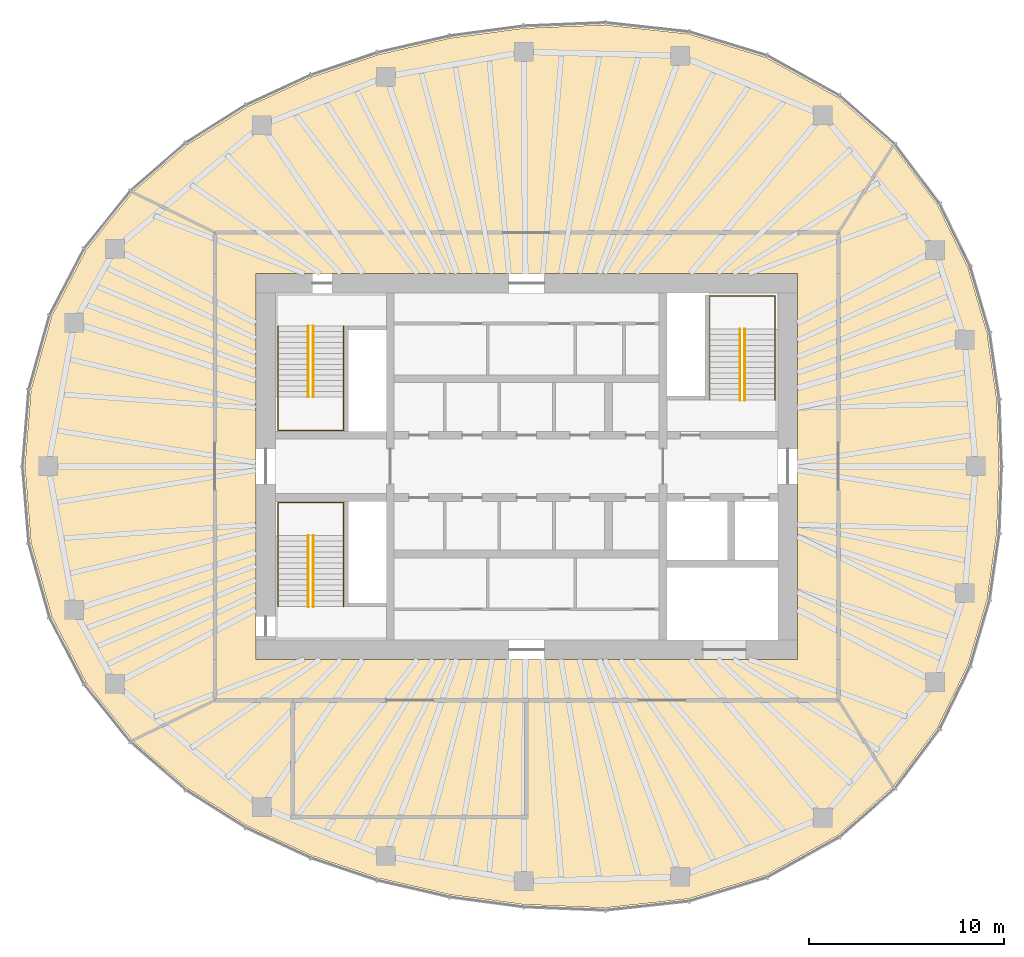
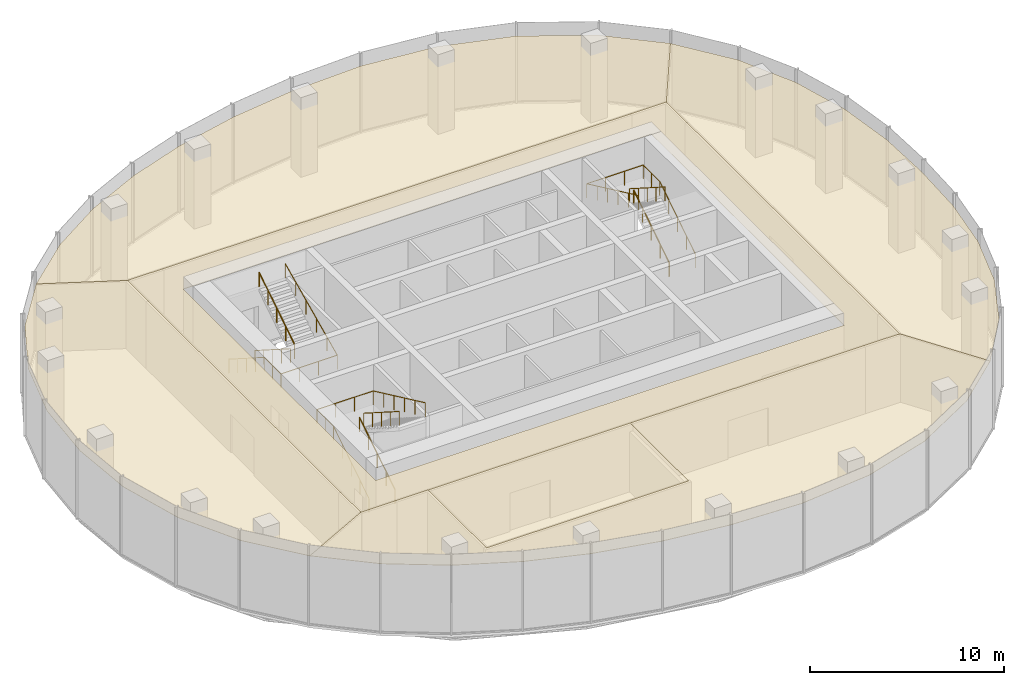
# One storey, part 11 of 11: 9 railings, 6 coverings.
"""IFC4 building model written with IfcOpenShell, lengths in metres."""

from ifc_helpers import new_model, si_unit, direction, frame, origin, origin_2d, place, context, subcontext, project, spatial, polyline, circle, outline, extrude, material, layer, layer_set, type_object, element, save


model = new_model("IFC4")

# Units and contexts
model_context = context("Model", 3, precision=1e-05, world=origin(), true_north=direction((0.0, 1.0)))
body_context = subcontext(model_context, "Body", "Model", "MODEL_VIEW")
ifc_project = project(units=[si_unit("LENGTHUNIT", "METRE"), si_unit("AREAUNIT", "SQUARE_METRE"), si_unit("VOLUMEUNIT", "CUBIC_METRE"), si_unit("PLANEANGLEUNIT", "RADIAN"), si_unit("MASSUNIT", "GRAM", prefix="KILO")], contexts=[model_context])

# Site, building, storey
site_placement = place(None, origin())
site = spatial("IfcSite", under=ifc_project, at=site_placement, CompositionType="ELEMENT")
building_placement = place(site_placement, origin())
building = spatial("IfcBuilding", under=site, at=building_placement, Name="Ghaith Harvest Tower", CompositionType="ELEMENT")
storey_placement = place(building_placement, frame((0.0, 0.0, 339.199951171875)))
storey = spatial("IfcBuildingStorey", under=building, at=storey_placement, Name="L76", CompositionType="ELEMENT", Elevation=339.199951171875)

# Coverings
ifc_material_1 = material(Name="Mineral fibre ceiling tile", Category="gypsum")
ifc_layer = layer(ifc_material_1, 0.02490234375)
ifc_layer_set = layer_set([ifc_layer], Name="CEILING C2")
covering_type = type_object("IfcCoveringType", Name="CEILING C2", PredefinedType="CEILING", material=ifc_layer_set)
covering_1_placement = place(storey_placement, frame((0.0, 0.0, 4.199951171875)))
element("IfcCovering", 1, at=covering_1_placement, inside=storey, type_object=covering_type, Name="Ceiling L76-01", PredefinedType="CEILING", context=body_context, shape_type="SweptSolid", body=[
    extrude(outline(polyline([(-12.0, -18.0), (0.0, -18.0), (0.0, -12.0), (-12.0, -12.0), (-12.0, -18.0)])), origin(), (0.0, 0.0, 1.0), 0.025146484375),
])
covering_2_placement = place(storey_placement, frame((0.0, 0.0, 4.199951171875)))
element("IfcCovering", 2, at=covering_2_placement, inside=storey, type_object=covering_type, Name="Ceiling L76-C1", PredefinedType="CEILING", context=body_context, shape_type="SweptSolid", body=[
    extrude(outline(polyline([(16.0, -12.0), (-16.0, -12.0), (-16.0, 12.0), (16.0, 12.0), (16.0, -12.0)]), holes=[polyline([(-13.89990234375, 9.89990234375), (-13.89990234375, -9.89990234375), (13.89990234375, -9.89990234375), (13.89990234375, 9.89990234375), (-13.89990234375, 9.89990234375)])]), origin(), (0.0, 0.0, 1.0), 0.025146484375),
])
covering_3_placement = place(storey_placement, frame((0.0, 0.0, 4.199951171875)))
element("IfcCovering", 3, at=covering_3_placement, inside=storey, type_object=covering_type, Name="Ceiling L76-N1", PredefinedType="CEILING", context=body_context, shape_type="SweptSolid", body=[
    extrude(outline(polyline([(-17.40771484375, 16.518310546875), (-14.331298828125, 18.452880859375), (-11.009521484375, 19.98779296875), (-7.6298828125, 21.12548828125), (-3.92529296875, 21.98046875), (-0.15380859375, 22.486083984375), (4.016845703125, 22.658447265625), (8.2978515625, 22.1962890625), (12.273681640625, 20.98828125), (15.971923828125, 18.940185546875), (18.810791015625, 16.4482421875), (16.0, 12.0), (-16.0, 12.0), (-20.225830078125, 14.0732421875), (-17.40771484375, 16.518310546875)])), origin(), (0.0, 0.0, 1.0), 0.025146484375),
])
covering_4_placement = place(storey_placement, frame((0.0, 0.0, 4.199951171875)))
element("IfcCovering", 4, at=covering_4_placement, inside=storey, type_object=covering_type, Name="Ceiling L76-E1", PredefinedType="CEILING", context=body_context, shape_type="SweptSolid", body=[
    extrude(outline(polyline([(21.087890625, -13.42041015625), (18.810791015625, -16.4482421875), (16.0, -12.0), (16.0, 12.0), (18.810791015625, 16.4482421875), (21.087890625, 13.42041015625), (22.644775390625, 10.222900390625), (23.6376953125, 6.831787109375), (24.129150390625, 3.4169921875), (24.25, 0.0), (24.129150390625, -3.4169921875), (23.6376953125, -6.831787109375), (22.644775390625, -10.222900390625), (21.087890625, -13.42041015625)])), origin(), (0.0, 0.0, 1.0), 0.025146484375),
])
covering_5_placement = place(storey_placement, frame((0.0, 0.0, 4.199951171875)))
element("IfcCovering", 5, at=covering_5_placement, inside=storey, type_object=covering_type, Name="Ceiling L76-S1", PredefinedType="CEILING", context=body_context, shape_type="SweptSolid", body=[
    extrude(outline(polyline([(15.971923828125, -18.940185546875), (12.273681640625, -20.98828125), (8.2978515625, -22.1962890625), (4.016845703125, -22.658447265625), (-0.15380859375, -22.486083984375), (-3.92529296875, -21.98046875), (-7.6298828125, -21.12548828125), (-11.009521484375, -19.98779296875), (-14.331298828125, -18.452880859375), (-17.40771484375, -16.518310546875), (-20.225830078125, -14.0732421875), (-16.0, -12.0), (-12.0, -12.0), (-12.0, -18.0), (0.0, -18.0), (0.0, -12.0), (16.0, -12.0), (18.810791015625, -16.4482421875), (15.971923828125, -18.940185546875)])), origin(), (0.0, 0.0, 1.0), 0.025146484375),
])
covering_6_placement = place(storey_placement, frame((0.0, 0.0, 4.199951171875)))
element("IfcCovering", 6, at=covering_6_placement, inside=storey, type_object=covering_type, Name="Ceiling L76-W1", PredefinedType="CEILING", context=body_context, shape_type="SweptSolid", body=[
    extrude(outline(polyline([(-22.5986328125, -11.12353515625), (-24.368408203125, -7.722900390625), (-25.43310546875, -3.93359375), (-25.75, 0.0), (-25.43310546875, 3.93359375), (-24.368408203125, 7.722900390625), (-22.5986328125, 11.12353515625), (-20.225830078125, 14.0732421875), (-16.0, 12.0), (-16.0, -12.0), (-20.225830078125, -14.0732421875), (-22.5986328125, -11.12353515625)])), origin(), (0.0, 0.0, 1.0), 0.025146484375),
])

# Railings
ifc_material_2 = material(Name="Steel, black powder-coated", Category="steel")
railing_type = type_object("IfcRailingType", Name="HANDRAIL HR1", PredefinedType="HANDRAIL", material=ifc_material_2)
railing_1_placement = place(storey_placement, frame((-11.199951171875, 7.199951171875, 0.1787109375)))
element("IfcRailing", 7, at=railing_1_placement, inside=storey, type_object=railing_type, Name="Handrail HR1 stair ST1 L76 flight 1 inner", PredefinedType="HANDRAIL", context=body_context, shape_type="SweptSolid", body=[
    extrude(circle(Radius=0.02392578125, at=origin_2d()), frame((0.0, 0.0, 0.8759765625), z_axis=(0.0, -0.843137146238, 0.537698570422), x_axis=(1.0, 0.0, 0.0)), (0.0, 0.0, 1.0), 4.317138671875),
    extrude(circle(Radius=0.02099609375, at=origin_2d()), origin(), (0.0, 0.0, 1.0), 0.851806640625),
    extrude(circle(Radius=0.02099609375, at=origin_2d()), frame((0.0, -0.909912109375, 0.580322265625)), (0.0, 0.0, 1.0), 0.851806640625),
    extrude(circle(Radius=0.02099609375, at=origin_2d()), frame((0.0, -1.81982421875, 1.16064453125)), (0.0, 0.0, 1.0), 0.851806640625),
    extrude(circle(Radius=0.02099609375, at=origin_2d()), frame((0.0, -2.72998046875, 1.740966796875)), (0.0, 0.0, 1.0), 0.851806640625),
    extrude(circle(Radius=0.02099609375, at=origin_2d()), frame((0.0, -3.639892578125, 2.3212890625)), (0.0, 0.0, 1.0), 0.851806640625),
])
railing_2_placement = place(storey_placement, frame((-10.949951171875, 3.56005859375, 2.6787109375)))
element("IfcRailing", 8, at=railing_2_placement, inside=storey, type_object=railing_type, Name="Handrail HR1 stair ST1 L76 flight 2 inner", PredefinedType="HANDRAIL", context=body_context, shape_type="SweptSolid", body=[
    extrude(circle(Radius=0.02392578125, at=origin_2d()), frame((0.0, 0.0, 0.8759765625), z_axis=(0.0, 0.843137146238, 0.537698570422), x_axis=(-1.0, 0.0, 0.0)), (0.0, 0.0, 1.0), 4.317138671875),
    extrude(circle(Radius=0.02099609375, at=origin_2d()), origin(), (0.0, 0.0, 1.0), 0.851806640625),
    extrude(circle(Radius=0.02099609375, at=origin_2d()), frame((0.0, 0.909912109375, 0.580322265625)), (0.0, 0.0, 1.0), 0.851806640625),
    extrude(circle(Radius=0.02099609375, at=origin_2d()), frame((0.0, 1.81982421875, 1.16064453125)), (0.0, 0.0, 1.0), 0.851806640625),
    extrude(circle(Radius=0.02099609375, at=origin_2d()), frame((0.0, 2.72998046875, 1.740966796875)), (0.0, 0.0, 1.0), 0.851806640625),
    extrude(circle(Radius=0.02099609375, at=origin_2d()), frame((0.0, 3.639892578125, 2.3212890625)), (0.0, 0.0, 1.0), 0.851806640625),
])
railing_3_placement = place(storey_placement, frame((-12.75, 7.199951171875, 0.1787109375)))
element("IfcRailing", 9, at=railing_3_placement, inside=storey, type_object=railing_type, Name="Handrail HR1 stair ST1 L76 wall side", PredefinedType="HANDRAIL", context=body_context, shape_type="SweptSolid", body=[
    extrude(circle(Radius=0.02392578125, at=origin_2d()), frame((0.0, 0.0, 0.8759765625), z_axis=(0.0, -0.843137146238, 0.537698570422), x_axis=(1.0, 0.0, 0.0)), (0.0, 0.0, 1.0), 4.317138671875),
    extrude(circle(Radius=0.02392578125, at=origin_2d()), frame((0.0, -3.639892578125, 3.197265625), z_axis=(0.0, -1.0, 0.0), x_axis=(1.0, 0.0, 0.0)), (0.0, 0.0, 1.0), 1.7099609375),
    extrude(circle(Radius=0.02392578125, at=origin_2d()), frame((0.0, -5.349853515625, 3.197265625), z_axis=(1.0, 0.0, 0.0), x_axis=(0.0, 1.0, 0.0)), (0.0, 0.0, 1.0), 3.35009765625),
    extrude(circle(Radius=0.02392578125, at=origin_2d()), frame((3.35009765625, -5.349853515625, 3.197265625), z_axis=(0.0, 0.905962265858, 0.423358444868), x_axis=(-1.0, 0.0, 0.0)), (0.0, 0.0, 1.0), 5.9052734375),
    extrude(circle(Radius=0.02099609375, at=origin_2d()), origin(), (0.0, 0.0, 1.0), 0.851806640625),
    extrude(circle(Radius=0.02099609375, at=origin_2d()), frame((0.0, -0.909912109375, 0.580322265625)), (0.0, 0.0, 1.0), 0.851806640625),
    extrude(circle(Radius=0.02099609375, at=origin_2d()), frame((0.0, -1.81982421875, 1.16064453125)), (0.0, 0.0, 1.0), 0.851806640625),
    extrude(circle(Radius=0.02099609375, at=origin_2d()), frame((0.0, -2.72998046875, 1.740966796875)), (0.0, 0.0, 1.0), 0.851806640625),
    extrude(circle(Radius=0.02099609375, at=origin_2d()), frame((0.0, -3.639892578125, 2.3212890625)), (0.0, 0.0, 1.0), 0.851806640625),
    extrude(circle(Radius=0.02099609375, at=origin_2d()), frame((0.0, -4.494873046875, 2.3212890625)), (0.0, 0.0, 1.0), 0.851806640625),
    extrude(circle(Radius=0.02099609375, at=origin_2d()), frame((0.0, -5.349853515625, 2.3212890625)), (0.0, 0.0, 1.0), 0.851806640625),
    extrude(circle(Radius=0.02099609375, at=origin_2d()), frame((1.11669921875, -5.349853515625, 2.3212890625)), (0.0, 0.0, 1.0), 0.851806640625),
    extrude(circle(Radius=0.02099609375, at=origin_2d()), frame((2.2333984375, -5.349853515625, 2.3212890625)), (0.0, 0.0, 1.0), 0.851806640625),
    extrude(circle(Radius=0.02099609375, at=origin_2d()), frame((3.35009765625, -5.349853515625, 2.3212890625)), (0.0, 0.0, 1.0), 0.851806640625),
    extrude(circle(Radius=0.02099609375, at=origin_2d()), frame((3.35009765625, -4.27978515625, 2.8212890625)), (0.0, 0.0, 1.0), 0.851806640625),
    extrude(circle(Radius=0.02099609375, at=origin_2d()), frame((3.35009765625, -3.2099609375, 3.3212890625)), (0.0, 0.0, 1.0), 0.851806640625),
    extrude(circle(Radius=0.02099609375, at=origin_2d()), frame((3.35009765625, -2.139892578125, 3.8212890625)), (0.0, 0.0, 1.0), 0.851806640625),
    extrude(circle(Radius=0.02099609375, at=origin_2d()), frame((3.35009765625, -1.070068359375, 4.3212890625)), (0.0, 0.0, 1.0), 0.851806640625),
    extrude(circle(Radius=0.02099609375, at=origin_2d()), frame((3.35009765625, 0.0, 4.8212890625)), (0.0, 0.0, 1.0), 0.851806640625),
])
railing_4_placement = place(storey_placement, frame((-11.199951171875, -7.199951171875, 0.1787109375)))
element("IfcRailing", 10, at=railing_4_placement, inside=storey, type_object=railing_type, Name="Handrail HR1 stair ST3 L76 flight 1 inner", PredefinedType="HANDRAIL", context=body_context, shape_type="SweptSolid", body=[
    extrude(circle(Radius=0.02392578125, at=origin_2d()), frame((0.0, 0.0, 0.8759765625), z_axis=(0.0, 0.843137146238, 0.537698570422), x_axis=(-1.0, 0.0, 0.0)), (0.0, 0.0, 1.0), 4.317138671875),
    extrude(circle(Radius=0.02099609375, at=origin_2d()), origin(), (0.0, 0.0, 1.0), 0.851806640625),
    extrude(circle(Radius=0.02099609375, at=origin_2d()), frame((0.0, 0.909912109375, 0.580322265625)), (0.0, 0.0, 1.0), 0.851806640625),
    extrude(circle(Radius=0.02099609375, at=origin_2d()), frame((0.0, 1.81982421875, 1.16064453125)), (0.0, 0.0, 1.0), 0.851806640625),
    extrude(circle(Radius=0.02099609375, at=origin_2d()), frame((0.0, 2.72998046875, 1.740966796875)), (0.0, 0.0, 1.0), 0.851806640625),
    extrude(circle(Radius=0.02099609375, at=origin_2d()), frame((0.0, 3.639892578125, 2.3212890625)), (0.0, 0.0, 1.0), 0.851806640625),
])
railing_5_placement = place(storey_placement, frame((-10.949951171875, -3.56005859375, 2.6787109375)))
element("IfcRailing", 11, at=railing_5_placement, inside=storey, type_object=railing_type, Name="Handrail HR1 stair ST3 L76 flight 2 inner", PredefinedType="HANDRAIL", context=body_context, shape_type="SweptSolid", body=[
    extrude(circle(Radius=0.02392578125, at=origin_2d()), frame((0.0, 0.0, 0.8759765625), z_axis=(0.0, -0.843137146238, 0.537698570422), x_axis=(1.0, 0.0, 0.0)), (0.0, 0.0, 1.0), 4.317138671875),
    extrude(circle(Radius=0.02099609375, at=origin_2d()), origin(), (0.0, 0.0, 1.0), 0.851806640625),
    extrude(circle(Radius=0.02099609375, at=origin_2d()), frame((0.0, -0.909912109375, 0.580322265625)), (0.0, 0.0, 1.0), 0.851806640625),
    extrude(circle(Radius=0.02099609375, at=origin_2d()), frame((0.0, -1.81982421875, 1.16064453125)), (0.0, 0.0, 1.0), 0.851806640625),
    extrude(circle(Radius=0.02099609375, at=origin_2d()), frame((0.0, -2.72998046875, 1.740966796875)), (0.0, 0.0, 1.0), 0.851806640625),
    extrude(circle(Radius=0.02099609375, at=origin_2d()), frame((0.0, -3.639892578125, 2.3212890625)), (0.0, 0.0, 1.0), 0.851806640625),
])
railing_6_placement = place(storey_placement, frame((-12.75, -7.199951171875, 0.1787109375)))
element("IfcRailing", 12, at=railing_6_placement, inside=storey, type_object=railing_type, Name="Handrail HR1 stair ST3 L76 wall side", PredefinedType="HANDRAIL", context=body_context, shape_type="SweptSolid", body=[
    extrude(circle(Radius=0.02392578125, at=origin_2d()), frame((0.0, 0.0, 0.8759765625), z_axis=(0.0, 0.843137146238, 0.537698570422), x_axis=(-1.0, 0.0, 0.0)), (0.0, 0.0, 1.0), 4.317138671875),
    extrude(circle(Radius=0.02392578125, at=origin_2d()), frame((0.0, 3.639892578125, 3.197265625), z_axis=(0.0, 1.0, 0.0), x_axis=(-1.0, 0.0, 0.0)), (0.0, 0.0, 1.0), 1.7099609375),
    extrude(circle(Radius=0.02392578125, at=origin_2d()), frame((0.0, 5.349853515625, 3.197265625), z_axis=(1.0, 0.0, 0.0), x_axis=(0.0, 1.0, 0.0)), (0.0, 0.0, 1.0), 3.35009765625),
    extrude(circle(Radius=0.02392578125, at=origin_2d()), frame((3.35009765625, 5.349853515625, 3.197265625), z_axis=(0.0, -0.905962265858, 0.423358444868), x_axis=(1.0, 0.0, 0.0)), (0.0, 0.0, 1.0), 5.9052734375),
    extrude(circle(Radius=0.02099609375, at=origin_2d()), origin(), (0.0, 0.0, 1.0), 0.851806640625),
    extrude(circle(Radius=0.02099609375, at=origin_2d()), frame((0.0, 0.909912109375, 0.580322265625)), (0.0, 0.0, 1.0), 0.851806640625),
    extrude(circle(Radius=0.02099609375, at=origin_2d()), frame((0.0, 1.81982421875, 1.16064453125)), (0.0, 0.0, 1.0), 0.851806640625),
    extrude(circle(Radius=0.02099609375, at=origin_2d()), frame((0.0, 2.72998046875, 1.740966796875)), (0.0, 0.0, 1.0), 0.851806640625),
    extrude(circle(Radius=0.02099609375, at=origin_2d()), frame((0.0, 3.639892578125, 2.3212890625)), (0.0, 0.0, 1.0), 0.851806640625),
    extrude(circle(Radius=0.02099609375, at=origin_2d()), frame((0.0, 4.494873046875, 2.3212890625)), (0.0, 0.0, 1.0), 0.851806640625),
    extrude(circle(Radius=0.02099609375, at=origin_2d()), frame((0.0, 5.349853515625, 2.3212890625)), (0.0, 0.0, 1.0), 0.851806640625),
    extrude(circle(Radius=0.02099609375, at=origin_2d()), frame((1.11669921875, 5.349853515625, 2.3212890625)), (0.0, 0.0, 1.0), 0.851806640625),
    extrude(circle(Radius=0.02099609375, at=origin_2d()), frame((2.2333984375, 5.349853515625, 2.3212890625)), (0.0, 0.0, 1.0), 0.851806640625),
    extrude(circle(Radius=0.02099609375, at=origin_2d()), frame((3.35009765625, 5.349853515625, 2.3212890625)), (0.0, 0.0, 1.0), 0.851806640625),
    extrude(circle(Radius=0.02099609375, at=origin_2d()), frame((3.35009765625, 4.27978515625, 2.8212890625)), (0.0, 0.0, 1.0), 0.851806640625),
    extrude(circle(Radius=0.02099609375, at=origin_2d()), frame((3.35009765625, 3.2099609375, 3.3212890625)), (0.0, 0.0, 1.0), 0.851806640625),
    extrude(circle(Radius=0.02099609375, at=origin_2d()), frame((3.35009765625, 2.139892578125, 3.8212890625)), (0.0, 0.0, 1.0), 0.851806640625),
    extrude(circle(Radius=0.02099609375, at=origin_2d()), frame((3.35009765625, 1.070068359375, 4.3212890625)), (0.0, 0.0, 1.0), 0.851806640625),
    extrude(circle(Radius=0.02099609375, at=origin_2d()), frame((3.35009765625, 0.0, 4.8212890625)), (0.0, 0.0, 1.0), 0.851806640625),
])
railing_7_placement = place(storey_placement, frame((11.199951171875, 3.39990234375, 0.1787109375)))
element("IfcRailing", 13, at=railing_7_placement, inside=storey, type_object=railing_type, Name="Handrail HR1 stair ST2 L76 flight 1 inner", PredefinedType="HANDRAIL", context=body_context, shape_type="SweptSolid", body=[
    extrude(circle(Radius=0.02392578125, at=origin_2d()), frame((0.0, 0.0, 0.8759765625), z_axis=(0.0, 0.843153495434, 0.537672933239), x_axis=(-1.0, 0.0, 0.0)), (0.0, 0.0, 1.0), 4.3173828125),
    extrude(circle(Radius=0.02099609375, at=origin_2d()), origin(), (0.0, 0.0, 1.0), 0.851806640625),
    extrude(circle(Radius=0.02099609375, at=origin_2d()), frame((0.0, 0.91015625, 0.580322265625)), (0.0, 0.0, 1.0), 0.851806640625),
    extrude(circle(Radius=0.02099609375, at=origin_2d()), frame((0.0, 1.820068359375, 1.16064453125)), (0.0, 0.0, 1.0), 0.851806640625),
    extrude(circle(Radius=0.02099609375, at=origin_2d()), frame((0.0, 2.72998046875, 1.740966796875)), (0.0, 0.0, 1.0), 0.851806640625),
    extrude(circle(Radius=0.02099609375, at=origin_2d()), frame((0.0, 3.64013671875, 2.3212890625)), (0.0, 0.0, 1.0), 0.851806640625),
])
railing_8_placement = place(storey_placement, frame((10.949951171875, 7.0400390625, 2.6787109375)))
element("IfcRailing", 14, at=railing_8_placement, inside=storey, type_object=railing_type, Name="Handrail HR1 stair ST2 L76 flight 2 inner", PredefinedType="HANDRAIL", context=body_context, shape_type="SweptSolid", body=[
    extrude(circle(Radius=0.02392578125, at=origin_2d()), frame((0.0, 0.0, 0.8759765625), z_axis=(0.0, -0.843153495434, 0.537672933239), x_axis=(1.0, 0.0, 0.0)), (0.0, 0.0, 1.0), 4.3173828125),
    extrude(circle(Radius=0.02099609375, at=origin_2d()), origin(), (0.0, 0.0, 1.0), 0.851806640625),
    extrude(circle(Radius=0.02099609375, at=origin_2d()), frame((0.0, -0.91015625, 0.580322265625)), (0.0, 0.0, 1.0), 0.851806640625),
    extrude(circle(Radius=0.02099609375, at=origin_2d()), frame((0.0, -1.820068359375, 1.16064453125)), (0.0, 0.0, 1.0), 0.851806640625),
    extrude(circle(Radius=0.02099609375, at=origin_2d()), frame((0.0, -2.72998046875, 1.740966796875)), (0.0, 0.0, 1.0), 0.851806640625),
    extrude(circle(Radius=0.02099609375, at=origin_2d()), frame((0.0, -3.64013671875, 2.3212890625)), (0.0, 0.0, 1.0), 0.851806640625),
])
railing_9_placement = place(storey_placement, frame((12.75, 3.39990234375, 0.1787109375)))
element("IfcRailing", 15, at=railing_9_placement, inside=storey, type_object=railing_type, Name="Handrail HR1 stair ST2 L76 wall side", PredefinedType="HANDRAIL", context=body_context, shape_type="SweptSolid", body=[
    extrude(circle(Radius=0.02392578125, at=origin_2d()), frame((0.0, 0.0, 0.8759765625), z_axis=(0.0, 0.843153495434, 0.537672933239), x_axis=(-1.0, 0.0, 0.0)), (0.0, 0.0, 1.0), 4.3173828125),
    extrude(circle(Radius=0.02392578125, at=origin_2d()), frame((0.0, 3.64013671875, 3.197265625), z_axis=(0.0, 1.0, 0.0), x_axis=(-1.0, 0.0, 0.0)), (0.0, 0.0, 1.0), 1.7099609375),
    extrude(circle(Radius=0.02392578125, at=origin_2d()), frame((0.0, 5.35009765625, 3.197265625), z_axis=(-1.0, 0.0, 0.0), x_axis=(0.0, -1.0, 0.0)), (0.0, 0.0, 1.0), 3.35009765625),
    extrude(circle(Radius=0.02392578125, at=origin_2d()), frame((-3.35009765625, 5.35009765625, 3.197265625), z_axis=(0.0, -0.905969675553, 0.423342588193), x_axis=(1.0, 0.0, 0.0)), (0.0, 0.0, 1.0), 5.9052734375),
    extrude(circle(Radius=0.02099609375, at=origin_2d()), origin(), (0.0, 0.0, 1.0), 0.851806640625),
    extrude(circle(Radius=0.02099609375, at=origin_2d()), frame((0.0, 0.91015625, 0.580322265625)), (0.0, 0.0, 1.0), 0.851806640625),
    extrude(circle(Radius=0.02099609375, at=origin_2d()), frame((0.0, 1.820068359375, 1.16064453125)), (0.0, 0.0, 1.0), 0.851806640625),
    extrude(circle(Radius=0.02099609375, at=origin_2d()), frame((0.0, 2.72998046875, 1.740966796875)), (0.0, 0.0, 1.0), 0.851806640625),
    extrude(circle(Radius=0.02099609375, at=origin_2d()), frame((0.0, 3.64013671875, 2.3212890625)), (0.0, 0.0, 1.0), 0.851806640625),
    extrude(circle(Radius=0.02099609375, at=origin_2d()), frame((0.0, 4.4951171875, 2.3212890625)), (0.0, 0.0, 1.0), 0.851806640625),
    extrude(circle(Radius=0.02099609375, at=origin_2d()), frame((0.0, 5.35009765625, 2.3212890625)), (0.0, 0.0, 1.0), 0.851806640625),
    extrude(circle(Radius=0.02099609375, at=origin_2d()), frame((-1.11669921875, 5.35009765625, 2.3212890625)), (0.0, 0.0, 1.0), 0.851806640625),
    extrude(circle(Radius=0.02099609375, at=origin_2d()), frame((-2.2333984375, 5.35009765625, 2.3212890625)), (0.0, 0.0, 1.0), 0.851806640625),
    extrude(circle(Radius=0.02099609375, at=origin_2d()), frame((-3.35009765625, 5.35009765625, 2.3212890625)), (0.0, 0.0, 1.0), 0.851806640625),
    extrude(circle(Radius=0.02099609375, at=origin_2d()), frame((-3.35009765625, 4.280029296875, 2.8212890625)), (0.0, 0.0, 1.0), 0.851806640625),
    extrude(circle(Radius=0.02099609375, at=origin_2d()), frame((-3.35009765625, 3.2099609375, 3.3212890625)), (0.0, 0.0, 1.0), 0.851806640625),
    extrude(circle(Radius=0.02099609375, at=origin_2d()), frame((-3.35009765625, 2.14013671875, 3.8212890625)), (0.0, 0.0, 1.0), 0.851806640625),
    extrude(circle(Radius=0.02099609375, at=origin_2d()), frame((-3.35009765625, 1.070068359375, 4.3212890625)), (0.0, 0.0, 1.0), 0.851806640625),
    extrude(circle(Radius=0.02099609375, at=origin_2d()), frame((-3.35009765625, 0.0, 4.8212890625)), (0.0, 0.0, 1.0), 0.851806640625),
])

save(model, "model.ifc")
